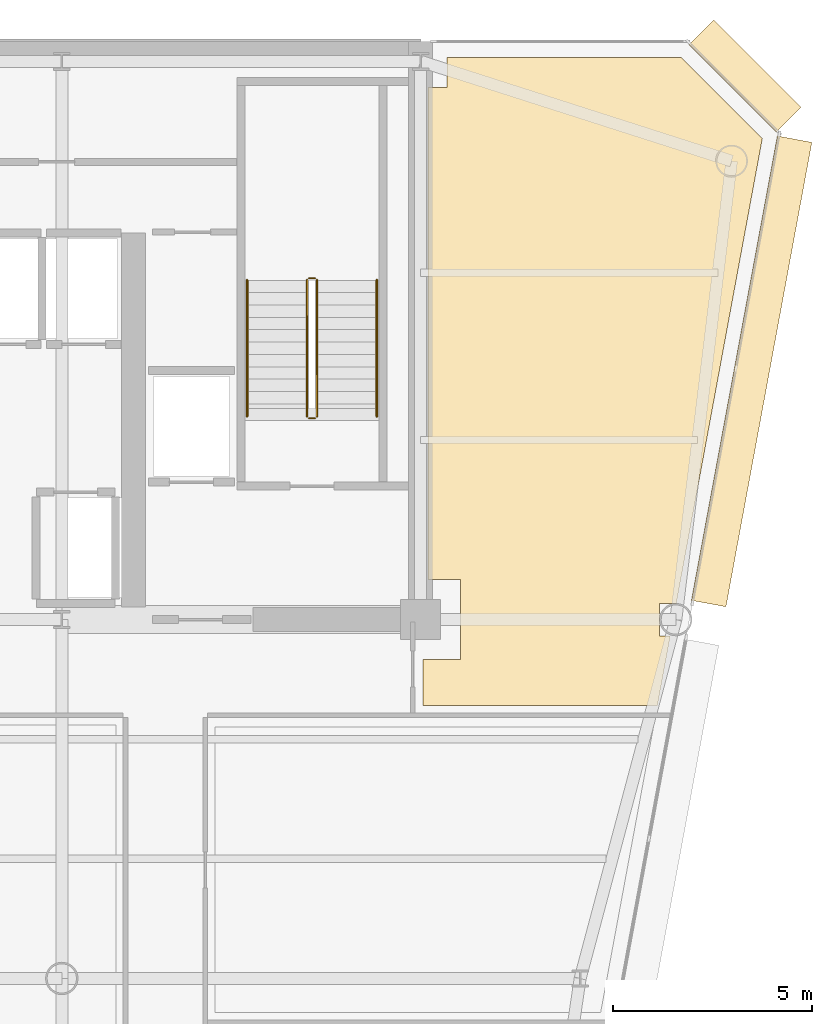
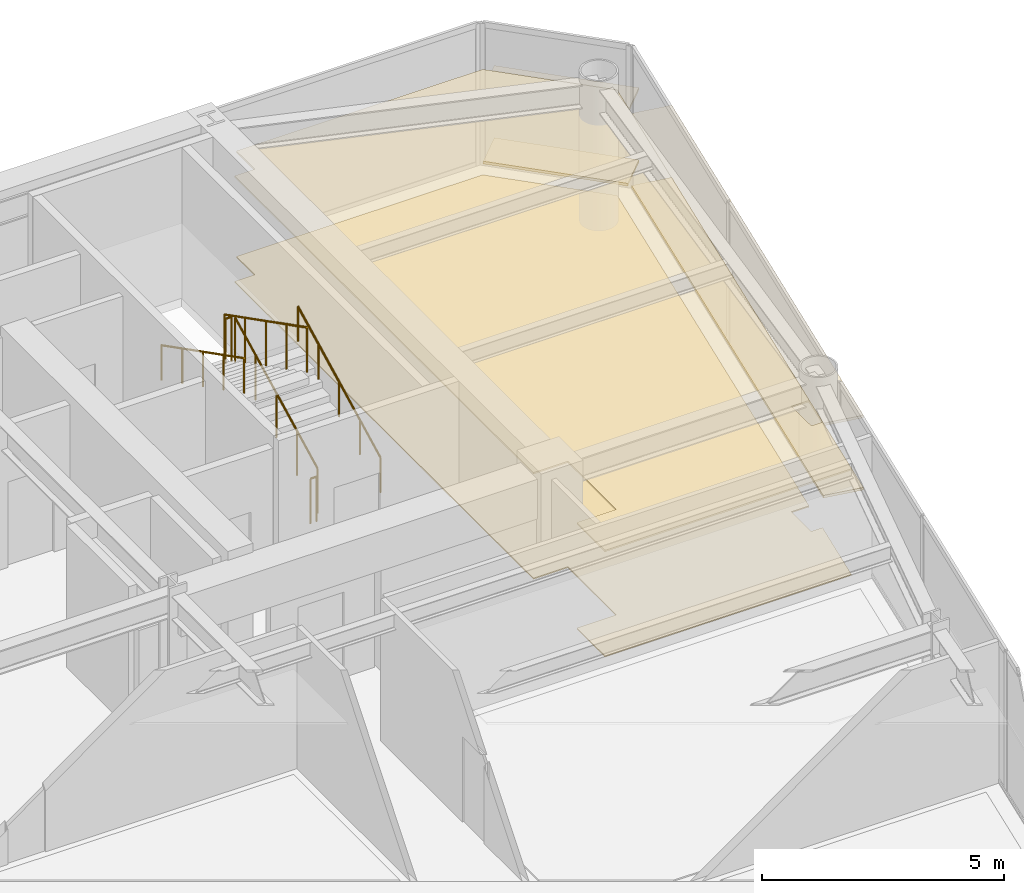
# One storey, part 16 of 16: 6 coverings, 6 railings.
"""IFC4 building model written with IfcOpenShell, lengths in metres."""

from ifc_helpers import new_model, si_unit, direction, frame, origin, origin_2d, place, context, subcontext, project, spatial, polyline, rectangle, circle, outline, extrude, source, transform, mapped, material, layer, layer_set, type_object, element, save


model = new_model("IFC4")

# Units and contexts
model_context = context("Model", 3, precision=1e-05, world=origin(), true_north=direction((0.0, 1.0)))
body_context = subcontext(model_context, "Body", "Model", "MODEL_VIEW")
ifc_project = project(units=[si_unit("LENGTHUNIT", "METRE"), si_unit("AREAUNIT", "SQUARE_METRE"), si_unit("VOLUMEUNIT", "CUBIC_METRE"), si_unit("PLANEANGLEUNIT", "RADIAN"), si_unit("MASSUNIT", "GRAM", prefix="KILO")], contexts=[model_context])

# Site, building, storey
site_placement = place(None, origin())
site = spatial("IfcSite", under=ifc_project, at=site_placement, CompositionType="ELEMENT")
building_placement = place(site_placement, origin())
building = spatial("IfcBuilding", under=site, at=building_placement, Name="Vaeldorn Concourse Tower", CompositionType="ELEMENT")
storey_placement = place(building_placement, frame((0.0, 0.0, 210.800048828125)))
storey = spatial("IfcBuildingStorey", under=building, at=storey_placement, Name="L54", CompositionType="ELEMENT", Elevation=210.800048828125)

# Coverings
ifc_material_1 = material(Name="Acoustic Mineral Fibre Board", Category="gypsum")
ifc_layer_1 = layer(ifc_material_1, 0.0400390625)
ifc_layer_set_1 = layer_set([ifc_layer_1], Name="Acoustic Mineral Fibre Board")
covering_type_1 = type_object("IfcCoveringType", Name="COV-CEIL-ACOUSTIC", PredefinedType="CEILING", material=ifc_layer_set_1)
covering_1_placement = place(storey_placement, frame((0.0, 0.0, 2.64990234375)))
element("IfcCovering", 1, at=covering_1_placement, inside=storey, type_object=covering_type_1, Name="Suspended Acoustic Ceiling L54-4", PredefinedType="CEILING", context=body_context, shape_type="SweptSolid", body=[
    extrude(outline(polyline([(54.179931640625, 49.840087890625), (54.659912109375, 49.840087890625), (54.659912109375, 50.60009765625), (60.5341796875, 50.60009765625), (62.568359375, 48.56591796875), (60.48828125, 37.320068359375), (60.48828125, 37.320068359375), (60.41162109375, 36.906494140625), (59.993408203125, 36.906494140625), (59.993408203125, 36.093505859375), (60.26123046875, 36.093505859375), (59.93701171875, 34.340087890625), (54.06005859375, 34.340087890625), (54.06005859375, 35.5), (55.0, 35.5), (55.0, 37.5), (54.179931640625, 37.5), (54.179931640625, 49.840087890625)])), origin(), (0.0, 0.0, 1.0), 0.0400390625),
])
ifc_material_2 = material(Name="Honed Limestone Terrazzo Flooring", Category="masonry")
ifc_layer_2 = layer(ifc_material_2, 0.0400390625)
ifc_layer_set_2 = layer_set([ifc_layer_2], Name="Honed Limestone Terrazzo Flooring")
covering_type_2 = type_object("IfcCoveringType", Name="COV-FLOOR-STONE", PredefinedType="FLOORING", material=ifc_layer_set_2)
covering_2_placement = place(storey_placement, origin())
element("IfcCovering", 2, at=covering_2_placement, inside=storey, type_object=covering_type_2, Name="Floor Finish Covering L54-4", PredefinedType="FLOORING", context=body_context, shape_type="SweptSolid", body=[
    extrude(outline(polyline([(54.179931640625, 49.840087890625), (54.659912109375, 49.840087890625), (54.659912109375, 50.60009765625), (60.5341796875, 50.60009765625), (62.568359375, 48.56591796875), (60.48828125, 37.320068359375), (60.48828125, 37.320068359375), (60.41162109375, 36.906494140625), (59.993408203125, 36.906494140625), (59.993408203125, 36.093505859375), (60.26123046875, 36.093505859375), (59.93701171875, 34.340087890625), (54.06005859375, 34.340087890625), (54.06005859375, 35.5), (55.0, 35.5), (55.0, 37.5), (54.179931640625, 37.5), (54.179931640625, 49.840087890625)])), origin(), (0.0, 0.0, 1.0), 0.030029296875),
])

# Railings
ifc_material_3 = material(Name="Anodised Bronze Aluminium", Category="aluminium")
railing_type_1 = type_object("IfcRailingType", Name="RL-STAIR-GUARD", PredefinedType="GUARDRAIL", material=ifc_material_3)
railing_1_placement = place(storey_placement, frame((51.39990234375, 41.60009765625, 0.158203125)))
element("IfcRailing", 3, at=railing_1_placement, inside=storey, type_object=railing_type_1, Name="L54 ST-2 stair guard 1", PredefinedType="GUARDRAIL", context=body_context, shape_type="SweptSolid", body=[
    extrude(circle(Radius=0.02392578125, at=origin_2d()), frame((0.0, 0.0, 1.1259765625), z_axis=(0.0, 0.890555807335, 0.454873997962), x_axis=(-1.0, 0.0, 0.0)), (0.0, 0.0, 1.0), 3.828857421875),
    extrude(circle(Radius=0.02099609375, at=origin_2d()), origin(), (0.0, 0.0, 1.0), 1.101806640625),
    extrude(circle(Radius=0.02099609375, at=origin_2d()), frame((0.0, 0.8525390625, 0.435546875)), (0.0, 0.0, 1.0), 1.101806640625),
    extrude(circle(Radius=0.02099609375, at=origin_2d()), frame((0.0, 1.705078125, 0.870849609375)), (0.0, 0.0, 1.0), 1.101806640625),
    extrude(circle(Radius=0.02099609375, at=origin_2d()), frame((0.0, 2.557373046875, 1.30615234375)), (0.0, 0.0, 1.0), 1.101806640625),
    extrude(circle(Radius=0.02099609375, at=origin_2d()), frame((0.0, 3.409912109375, 1.74169921875)), (0.0, 0.0, 1.0), 1.101806640625),
])
railing_2_placement = place(storey_placement, frame((51.35009765625, 45.06005859375, 1.89990234375)))
element("IfcRailing", 4, at=railing_2_placement, inside=storey, type_object=railing_type_1, Name="L54 ST-2 stair guard 2", PredefinedType="GUARDRAIL", context=body_context, shape_type="SweptSolid", body=[
    extrude(circle(Radius=0.02392578125, at=origin_2d()), frame((0.0, 0.0, 1.1259765625), z_axis=(-1.0, 0.0, 0.0), x_axis=(0.0, -1.0, 0.0)), (0.0, 0.0, 1.0), 0.150146484375),
    extrude(circle(Radius=0.02099609375, at=origin_2d()), origin(), (0.0, 0.0, 1.0), 1.101806640625),
    extrude(circle(Radius=0.02099609375, at=origin_2d()), frame((-0.150146484375, 0.0, 0.0)), (0.0, 0.0, 1.0), 1.101806640625),
])
railing_3_placement = place(storey_placement, frame((51.14990234375, 45.010009765625, 2.058349609375)))
element("IfcRailing", 5, at=railing_3_placement, inside=storey, type_object=railing_type_1, Name="L54 ST-2 stair guard 3", PredefinedType="GUARDRAIL", context=body_context, shape_type="SweptSolid", body=[
    extrude(circle(Radius=0.02392578125, at=origin_2d()), frame((0.0, 0.0, 1.1259765625), z_axis=(0.0, -0.890555807335, 0.454873997962), x_axis=(1.0, 0.0, 0.0)), (0.0, 0.0, 1.0), 3.828857421875),
    extrude(circle(Radius=0.02099609375, at=origin_2d()), origin(), (0.0, 0.0, 1.0), 1.101806640625),
    extrude(circle(Radius=0.02099609375, at=origin_2d()), frame((0.0, -0.8525390625, 0.435546875)), (0.0, 0.0, 1.0), 1.101806640625),
    extrude(circle(Radius=0.02099609375, at=origin_2d()), frame((0.0, -1.705078125, 0.870849609375)), (0.0, 0.0, 1.0), 1.101806640625),
    extrude(circle(Radius=0.02099609375, at=origin_2d()), frame((0.0, -2.557373046875, 1.30615234375)), (0.0, 0.0, 1.0), 1.101806640625),
    extrude(circle(Radius=0.02099609375, at=origin_2d()), frame((0.0, -3.409912109375, 1.74169921875)), (0.0, 0.0, 1.0), 1.101806640625),
])
railing_4_placement = place(storey_placement, frame((51.35009765625, 41.550048828125, 0.0)))
element("IfcRailing", 6, at=railing_4_placement, inside=storey, type_object=railing_type_1, Name="L54 ST-2 stair guard 4", PredefinedType="GUARDRAIL", context=body_context, shape_type="SweptSolid", body=[
    extrude(circle(Radius=0.02392578125, at=origin_2d()), frame((0.0, 0.0, 1.1259765625), z_axis=(-1.0, 0.0, 0.0), x_axis=(0.0, -1.0, 0.0)), (0.0, 0.0, 1.0), 0.150146484375),
    extrude(circle(Radius=0.02099609375, at=origin_2d()), origin(), (0.0, 0.0, 1.0), 1.101806640625),
    extrude(circle(Radius=0.02099609375, at=origin_2d()), frame((-0.150146484375, 0.0, 0.0)), (0.0, 0.0, 1.0), 1.101806640625),
])
railing_type_2 = type_object("IfcRailingType", Name="RL-STAIR-HANDRAIL", PredefinedType="HANDRAIL", material=ifc_material_3)
railing_5_placement = place(storey_placement, frame((52.89990234375, 41.60009765625, 0.158203125)))
element("IfcRailing", 7, at=railing_5_placement, inside=storey, type_object=railing_type_2, Name="L54 ST-2 stair handrail 1", PredefinedType="HANDRAIL", context=body_context, shape_type="SweptSolid", body=[
    extrude(circle(Radius=0.02392578125, at=origin_2d()), frame((0.0, 0.0, 0.8759765625), z_axis=(0.0, 0.890555807335, 0.454873997962), x_axis=(-1.0, 0.0, 0.0)), (0.0, 0.0, 1.0), 3.828857421875),
    extrude(circle(Radius=0.02099609375, at=origin_2d()), origin(), (0.0, 0.0, 1.0), 0.851806640625),
    extrude(circle(Radius=0.02099609375, at=origin_2d()), frame((0.0, 0.8525390625, 0.435546875)), (0.0, 0.0, 1.0), 0.851806640625),
    extrude(circle(Radius=0.02099609375, at=origin_2d()), frame((0.0, 1.705078125, 0.870849609375)), (0.0, 0.0, 1.0), 0.851806640625),
    extrude(circle(Radius=0.02099609375, at=origin_2d()), frame((0.0, 2.557373046875, 1.30615234375)), (0.0, 0.0, 1.0), 0.851806640625),
    extrude(circle(Radius=0.02099609375, at=origin_2d()), frame((0.0, 3.409912109375, 1.74169921875)), (0.0, 0.0, 1.0), 0.851806640625),
])
railing_6_placement = place(storey_placement, frame((49.64990234375, 45.010009765625, 2.058349609375)))
element("IfcRailing", 8, at=railing_6_placement, inside=storey, type_object=railing_type_2, Name="L54 ST-2 stair handrail 2", PredefinedType="HANDRAIL", context=body_context, shape_type="SweptSolid", body=[
    extrude(circle(Radius=0.02392578125, at=origin_2d()), frame((0.0, 0.0, 0.8759765625), z_axis=(0.0, -0.890555807335, 0.454873997962), x_axis=(1.0, 0.0, 0.0)), (0.0, 0.0, 1.0), 3.828857421875),
    extrude(circle(Radius=0.02099609375, at=origin_2d()), origin(), (0.0, 0.0, 1.0), 0.851806640625),
    extrude(circle(Radius=0.02099609375, at=origin_2d()), frame((0.0, -0.8525390625, 0.435546875)), (0.0, 0.0, 1.0), 0.851806640625),
    extrude(circle(Radius=0.02099609375, at=origin_2d()), frame((0.0, -1.705078125, 0.870849609375)), (0.0, 0.0, 1.0), 0.851806640625),
    extrude(circle(Radius=0.02099609375, at=origin_2d()), frame((0.0, -2.557373046875, 1.30615234375)), (0.0, 0.0, 1.0), 0.851806640625),
    extrude(circle(Radius=0.02099609375, at=origin_2d()), frame((0.0, -3.409912109375, 1.74169921875)), (0.0, 0.0, 1.0), 0.851806640625),
])

# Coverings
ifc_layer_3 = layer(ifc_material_3, 0.06494140625)
ifc_layer_set_3 = layer_set([ifc_layer_3], Name="Anodised Bronze Aluminium")
covering_type_3 = type_object("IfcCoveringType", Name="SD-BRONZE-SUNSHADE", PredefinedType="USERDEFINED", material=ifc_layer_set_3)
shared_shape_1 = source(origin(), body_context, "Body", "SweptSolid", [
    extrude(rectangle(XDim=3.0927734375, YDim=0.8798828125, at=origin_2d()), origin(), (0.0, 0.0, 1.0), 0.06494140625),
])
for number, where, z_axis, x_axis, name in (
    (9, (62.1328125, 50.1328125, 0.04736328125), (0.0, 0.0, 1.0), (-0.707106781187, 0.707106781187, 0.0), "Horizontal Bronze Sunshade L54-E08.1.1"),
    (10, (62.1328125, 50.1328125, 1.867431640625), (0.0, 0.0, 1.0), (-0.707106781187, 0.707106781187, 0.0), "Horizontal Bronze Sunshade L54-E08.1.2"),
):
    element("IfcCovering", number, at=place(storey_placement, frame(where, z_axis=z_axis, x_axis=x_axis)), inside=storey, type_object=covering_type_3, Name=name, ObjectType="SUNSHADE", PredefinedType="USERDEFINED", context=body_context, shape_type="MappedRepresentation", body=[
        mapped(shared_shape_1, transform((0.0, 0.0, 0.0), scale=1.0)),
    ])
shared_shape_2 = source(origin(), body_context, "Body", "SweptSolid", [
    extrude(rectangle(XDim=11.844482421875, YDim=0.8798828125, at=origin_2d()), origin(), (0.0, 0.0, 1.0), 0.06494140625),
])
for number, where, z_axis, x_axis, name in (
    (11, (62.301513671875, 42.72509765625, 0.04736328125), (0.0, 0.0, 1.0), (0.181892293686, 0.983318459858, 0.0), "Horizontal Bronze Sunshade L54-E07.2.1"),
    (12, (62.301513671875, 42.72509765625, 1.867431640625), (0.0, 0.0, 1.0), (0.181892293686, 0.983318459858, 0.0), "Horizontal Bronze Sunshade L54-E07.2.2"),
):
    element("IfcCovering", number, at=place(storey_placement, frame(where, z_axis=z_axis, x_axis=x_axis)), inside=storey, type_object=covering_type_3, Name=name, ObjectType="SUNSHADE", PredefinedType="USERDEFINED", context=body_context, shape_type="MappedRepresentation", body=[
        mapped(shared_shape_2, transform((0.0, 0.0, 0.0), scale=1.0)),
    ])

save(model, "model.ifc")
